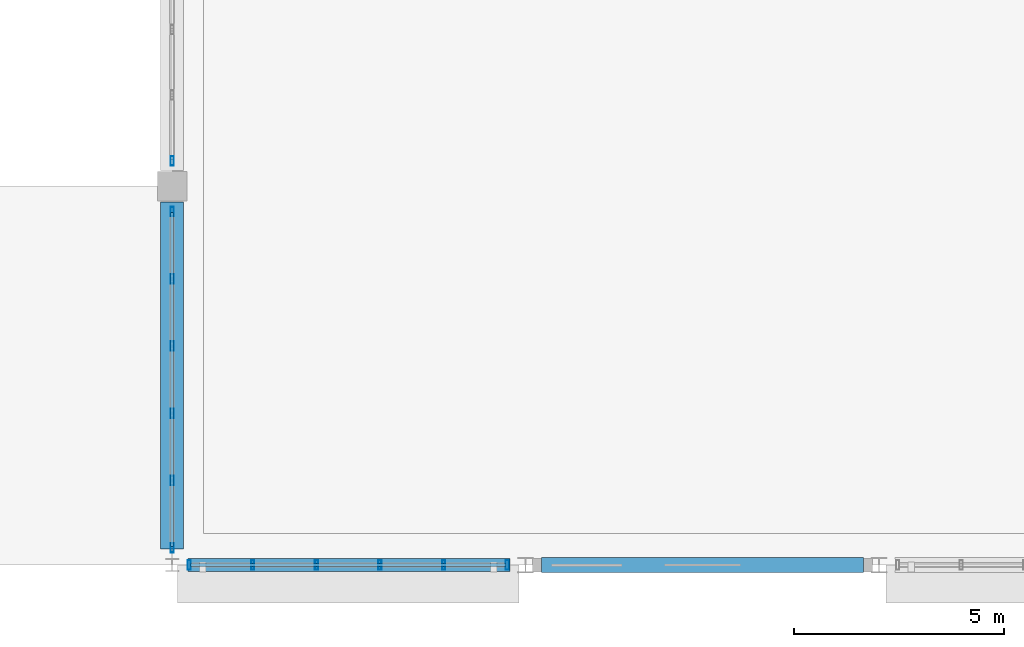
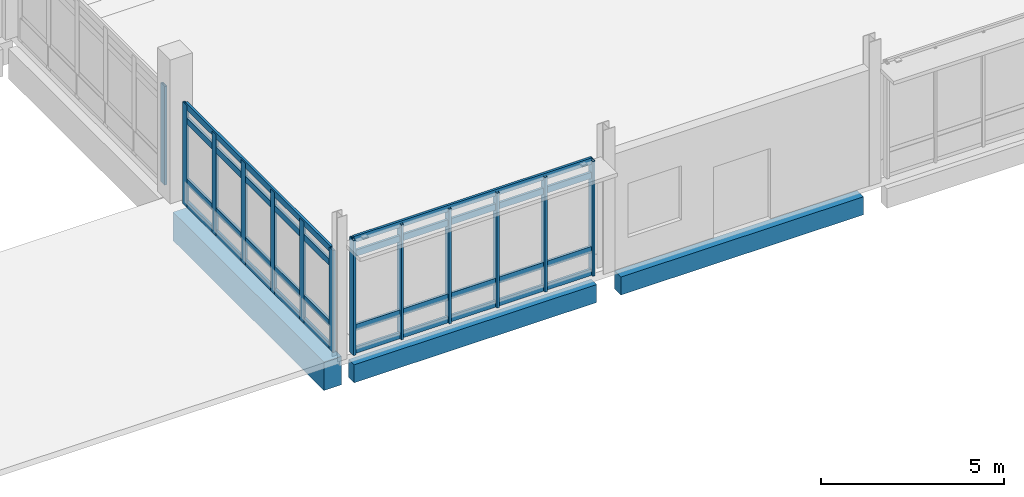
# One storey, part 10 of 95: 21 members, 3 beams, 3 elements without a shape of their own.
"""IFC4 building model written with IfcOpenShell, lengths in metres."""

from ifc_helpers import new_model, si_unit, direction, frame, origin, origin_2d, place, context, subcontext, project, spatial, rectangle, hollow_rectangle, extrude, material, layer, layer_set, material_profile, profile_set, type_object, element, aggregate, save


model = new_model("IFC4")

# Units and contexts
model_context = context("Model", 3, precision=1e-05, world=origin(), true_north=direction((0.0, 1.0)))
body_context = subcontext(model_context, "Body", "Model", "MODEL_VIEW")
ifc_project = project(units=[si_unit("LENGTHUNIT", "METRE"), si_unit("AREAUNIT", "SQUARE_METRE"), si_unit("VOLUMEUNIT", "CUBIC_METRE"), si_unit("PLANEANGLEUNIT", "RADIAN"), si_unit("MASSUNIT", "GRAM", prefix="KILO")], contexts=[model_context])

# Site, building, storey
site_placement = place(None, origin())
site = spatial("IfcSite", under=ifc_project, at=site_placement, CompositionType="ELEMENT")
building_placement = place(site_placement, origin())
building = spatial("IfcBuilding", under=site, at=building_placement, Name="Vireocrest Preparatory School", CompositionType="ELEMENT")
storey_placement = place(building_placement, origin())
storey = spatial("IfcBuildingStorey", under=building, at=storey_placement, Name="L00", CompositionType="ELEMENT", Elevation=0.0)

# Curtain wall, members
ifc_material_1 = material(Name="Thermally broken aluminium EN AW-6063-T6", Category="aluminium")
ifc_layer_1 = layer(ifc_material_1, 0.179931640625)
ifc_layer_set_1 = layer_set([ifc_layer_1], Name="Thermally broken aluminium EN AW-6063-T6")
curtain_wall_type_1 = type_object("IfcCurtainWallType", Name="Dining Side Storefront 9000x4400", PredefinedType="USERDEFINED", material=ifc_layer_set_1)
curtain_wall_1_placement = place(storey_placement, origin())
curtain_wall_1 = element("IfcCurtainWall", 1, at=curtain_wall_1_placement, inside=storey, type_object=curtain_wall_type_1, Name="Curtain Wall CW11 CW_L00_CW11_0504_0003_000", ObjectType="CURTAIN WALL", PredefinedType="USERDEFINED")
ifc_material_profile_1 = material_profile(ifc_material_1, hollow_rectangle(XDim=0.074951171875, YDim=0.22509765625, WallThickness=0.0048828125, at=origin_2d()), Name="ALU 75x225x5")
ifc_profile_set_1 = profile_set([ifc_material_profile_1], Name="Thermally broken aluminium EN AW-6063-T6")
member_type_1 = type_object("IfcMemberType", Name="CW Mullion 75x225x5", PredefinedType="MULLION", material=ifc_profile_set_1)
member_1_placement = place(storey_placement, frame((50.39990234375, 0.408935546875, 0.0), z_axis=(0.0, 0.0, 1.0), x_axis=(1.0, 0.0, 0.0)))
member_1 = element("IfcMember", 2, at=member_1_placement, type_object=member_type_1, Name="CW Mullion ML4 CW_L00_CW11_0504_0003_000-1", PredefinedType="MULLION", context=body_context, shape_type="SweptSolid", body=[
    extrude(hollow_rectangle(XDim=0.074951171875, YDim=0.22509765625, WallThickness=0.0048828125, at=origin_2d()), origin(), (0.0, 0.0, 1.0), 3.39501953125),
])
member_2_placement = place(storey_placement, frame((50.39990234375, 2.006103515625, 0.0), z_axis=(0.0, 0.0, 1.0), x_axis=(1.0, 0.0, 0.0)))
member_2 = element("IfcMember", 3, at=member_2_placement, type_object=member_type_1, Name="CW Mullion ML4 CW_L00_CW11_0504_0003_000-2", PredefinedType="MULLION", context=body_context, shape_type="SweptSolid", body=[
    extrude(hollow_rectangle(XDim=0.074951171875, YDim=0.22509765625, WallThickness=0.0048828125, at=origin_2d()), origin(), (0.0, 0.0, 1.0), 3.39501953125),
])
member_3_placement = place(storey_placement, frame((50.39990234375, 3.603515625, 0.0), z_axis=(0.0, 0.0, 1.0), x_axis=(1.0, 0.0, 0.0)))
member_3 = element("IfcMember", 4, at=member_3_placement, type_object=member_type_1, Name="CW Mullion ML4 CW_L00_CW11_0504_0003_000-3", PredefinedType="MULLION", context=body_context, shape_type="SweptSolid", body=[
    extrude(hollow_rectangle(XDim=0.074951171875, YDim=0.22509765625, WallThickness=0.0048828125, at=origin_2d()), origin(), (0.0, 0.0, 1.0), 3.39501953125),
])
member_4_placement = place(storey_placement, frame((50.39990234375, 5.20068359375, 0.0), z_axis=(0.0, 0.0, 1.0), x_axis=(1.0, 0.0, 0.0)))
member_4 = element("IfcMember", 5, at=member_4_placement, type_object=member_type_1, Name="CW Mullion ML4 CW_L00_CW11_0504_0003_000-4", PredefinedType="MULLION", context=body_context, shape_type="SweptSolid", body=[
    extrude(hollow_rectangle(XDim=0.074951171875, YDim=0.22509765625, WallThickness=0.0048828125, at=origin_2d()), origin(), (0.0, 0.0, 1.0), 3.39501953125),
])
member_5_placement = place(storey_placement, frame((50.39990234375, 6.7978515625, 0.0), z_axis=(0.0, 0.0, 1.0), x_axis=(1.0, 0.0, 0.0)))
member_5 = element("IfcMember", 6, at=member_5_placement, type_object=member_type_1, Name="CW Mullion ML4 CW_L00_CW11_0504_0003_000-5", PredefinedType="MULLION", context=body_context, shape_type="SweptSolid", body=[
    extrude(hollow_rectangle(XDim=0.074951171875, YDim=0.22509765625, WallThickness=0.0048828125, at=origin_2d()), origin(), (0.0, 0.0, 1.0), 3.39501953125),
])
member_6_placement = place(storey_placement, frame((50.39990234375, 8.39501953125, 0.0), z_axis=(0.0, 0.0, 1.0), x_axis=(1.0, 0.0, 0.0)))
member_6 = element("IfcMember", 7, at=member_6_placement, type_object=member_type_1, Name="CW Mullion ML4 CW_L00_CW11_0504_0003_000-6", PredefinedType="MULLION", context=body_context, shape_type="SweptSolid", body=[
    extrude(hollow_rectangle(XDim=0.074951171875, YDim=0.22509765625, WallThickness=0.0048828125, at=origin_2d()), origin(), (0.0, 0.0, 1.0), 3.39501953125),
])

# Curtain wall, member
curtain_wall_2_placement = place(storey_placement, origin())
curtain_wall_2 = element("IfcCurtainWall", 8, at=curtain_wall_2_placement, inside=storey, type_object=curtain_wall_type_1, Name="Curtain Wall CW11 CW_L00_CW11_0504_0095_000", ObjectType="CURTAIN WALL", PredefinedType="USERDEFINED")
member_7_placement = place(storey_placement, frame((50.39990234375, 9.60498046875, 0.0), z_axis=(0.0, 0.0, 1.0), x_axis=(1.0, 0.0, 0.0)))
member_7 = element("IfcMember", 9, at=member_7_placement, type_object=member_type_1, Name="CW Mullion ML4 CW_L00_CW11_0504_0095_000-1", PredefinedType="MULLION", context=body_context, shape_type="SweptSolid", body=[
    extrude(hollow_rectangle(XDim=0.074951171875, YDim=0.22509765625, WallThickness=0.0048828125, at=origin_2d()), origin(), (0.0, 0.0, 1.0), 3.294921875),
])
aggregate(curtain_wall_2, [member_7])

# Curtain wall, members
ifc_layer_2 = layer(ifc_material_1, 0.179931640625)
ifc_layer_set_2 = layer_set([ifc_layer_2], Name="Thermally broken aluminium EN AW-6063-T6")
curtain_wall_type_2 = type_object("IfcCurtainWallType", Name="Dining Garden Storefront 8400x4400", PredefinedType="USERDEFINED", material=ifc_layer_set_2)
curtain_wall_3_placement = place(storey_placement, origin())
curtain_wall_3 = element("IfcCurtainWall", 10, at=curtain_wall_3_placement, inside=storey, type_object=curtain_wall_type_2, Name="Curtain Wall CW10 CW_L00_CW10_0507_0000_000", ObjectType="CURTAIN WALL", PredefinedType="USERDEFINED")
member_8_placement = place(storey_placement, frame((50.8076171875, 0.0, 0.0), z_axis=(0.0, 0.0, 1.0), x_axis=(1.0, 0.0, 0.0)))
member_8 = element("IfcMember", 11, at=member_8_placement, type_object=member_type_1, Name="CW Mullion ML4 CW_L00_CW10_0507_0000_000-1", PredefinedType="MULLION", context=body_context, shape_type="SweptSolid", body=[
    extrude(hollow_rectangle(XDim=0.074951171875, YDim=0.22509765625, WallThickness=0.0048828125, at=origin_2d()), origin(), (0.0, 0.0, 1.0), 3.842041015625),
])
member_9_placement = place(storey_placement, frame((52.318115234375, 0.0, 0.0), z_axis=(0.0, 0.0, 1.0), x_axis=(1.0, 0.0, 0.0)))
member_9 = element("IfcMember", 12, at=member_9_placement, type_object=member_type_1, Name="CW Mullion ML4 CW_L00_CW10_0507_0000_000-2", PredefinedType="MULLION", context=body_context, shape_type="SweptSolid", body=[
    extrude(hollow_rectangle(XDim=0.074951171875, YDim=0.22509765625, WallThickness=0.0048828125, at=origin_2d()), origin(), (0.0, 0.0, 1.0), 3.842041015625),
])
member_10_placement = place(storey_placement, frame((53.82861328125, 0.0, 0.0), z_axis=(0.0, 0.0, 1.0), x_axis=(1.0, 0.0, 0.0)))
member_10 = element("IfcMember", 13, at=member_10_placement, type_object=member_type_1, Name="CW Mullion ML4 CW_L00_CW10_0507_0000_000-3", PredefinedType="MULLION", context=body_context, shape_type="SweptSolid", body=[
    extrude(hollow_rectangle(XDim=0.074951171875, YDim=0.22509765625, WallThickness=0.0048828125, at=origin_2d()), origin(), (0.0, 0.0, 1.0), 3.842041015625),
])
member_11_placement = place(storey_placement, frame((55.33935546875, 0.0, 0.0), z_axis=(0.0, 0.0, 1.0), x_axis=(1.0, 0.0, 0.0)))
member_11 = element("IfcMember", 14, at=member_11_placement, type_object=member_type_1, Name="CW Mullion ML4 CW_L00_CW10_0507_0000_000-4", PredefinedType="MULLION", context=body_context, shape_type="SweptSolid", body=[
    extrude(hollow_rectangle(XDim=0.074951171875, YDim=0.22509765625, WallThickness=0.0048828125, at=origin_2d()), origin(), (0.0, 0.0, 1.0), 3.842041015625),
])
member_12_placement = place(storey_placement, frame((56.849853515625, 0.0, 0.0), z_axis=(0.0, 0.0, 1.0), x_axis=(1.0, 0.0, 0.0)))
member_12 = element("IfcMember", 15, at=member_12_placement, type_object=member_type_1, Name="CW Mullion ML4 CW_L00_CW10_0507_0000_000-5", PredefinedType="MULLION", context=body_context, shape_type="SweptSolid", body=[
    extrude(hollow_rectangle(XDim=0.074951171875, YDim=0.22509765625, WallThickness=0.0048828125, at=origin_2d()), origin(), (0.0, 0.0, 1.0), 3.842041015625),
])
member_13_placement = place(storey_placement, frame((58.360595703125, 0.0, 0.0), z_axis=(0.0, 0.0, 1.0), x_axis=(1.0, 0.0, 0.0)))
member_13 = element("IfcMember", 16, at=member_13_placement, type_object=member_type_1, Name="CW Mullion ML4 CW_L00_CW10_0507_0000_000-6", PredefinedType="MULLION", context=body_context, shape_type="SweptSolid", body=[
    extrude(hollow_rectangle(XDim=0.074951171875, YDim=0.22509765625, WallThickness=0.0048828125, at=origin_2d()), origin(), (0.0, 0.0, 1.0), 3.842041015625),
])

# Member
ifc_material_profile_2 = material_profile(ifc_material_1, hollow_rectangle(XDim=0.074951171875, YDim=0.2099609375, WallThickness=0.0048828125, at=origin_2d()), Name="ALU 75x210x5")
ifc_profile_set_2 = profile_set([ifc_material_profile_2], Name="Thermally broken aluminium EN AW-6063-T6")
member_type_2 = type_object("IfcMemberType", Name="CW Transom 75x210x5", PredefinedType="USERDEFINED", material=ifc_profile_set_2)
member_14_placement = place(storey_placement, frame((50.39990234375, 0.43408203125, 0.094970703125), z_axis=(0.0, 1.0, 0.0), x_axis=(-1.0, 0.0, 0.0)))
member_14 = element("IfcMember", 17, at=member_14_placement, type_object=member_type_2, Name="CW Transom TR4 CW_L00_CW11_0504_0003_000-1", ObjectType="TRANSOM", PredefinedType="USERDEFINED", context=body_context, shape_type="SweptSolid", body=[
    extrude(hollow_rectangle(XDim=0.074951171875, YDim=0.2099609375, WallThickness=0.0048828125, at=origin_2d()), origin(), (0.0, 0.0, 1.0), 7.93603515625),
])

member_15_placement = place(storey_placement, frame((50.39990234375, 0.43408203125, 0.85009765625), z_axis=(0.0, 1.0, 0.0), x_axis=(-1.0, 0.0, 0.0)))
member_15 = element("IfcMember", 18, at=member_15_placement, type_object=member_type_2, Name="CW Transom TR4 CW_L00_CW11_0504_0003_000-2", ObjectType="TRANSOM", PredefinedType="USERDEFINED", context=body_context, shape_type="SweptSolid", body=[
    extrude(hollow_rectangle(XDim=0.074951171875, YDim=0.2099609375, WallThickness=0.0048828125, at=origin_2d()), origin(), (0.0, 0.0, 1.0), 7.93603515625),
])

member_16_placement = place(storey_placement, frame((50.39990234375, 0.43408203125, 2.8798828125), z_axis=(0.0, 1.0, 0.0), x_axis=(-1.0, 0.0, 0.0)))
member_16 = element("IfcMember", 19, at=member_16_placement, type_object=member_type_2, Name="CW Transom TR4 CW_L00_CW11_0504_0003_000-3", ObjectType="TRANSOM", PredefinedType="USERDEFINED", context=body_context, shape_type="SweptSolid", body=[
    extrude(hollow_rectangle(XDim=0.074951171875, YDim=0.2099609375, WallThickness=0.0048828125, at=origin_2d()), origin(), (0.0, 0.0, 1.0), 7.93603515625),
])

member_17_placement = place(storey_placement, frame((50.39990234375, 0.43408203125, 3.35498046875), z_axis=(0.0, 1.0, 0.0), x_axis=(-1.0, 0.0, 0.0)))
member_17 = element("IfcMember", 20, at=member_17_placement, type_object=member_type_2, Name="CW Transom TR4 CW_L00_CW11_0504_0003_000-4", ObjectType="TRANSOM", PredefinedType="USERDEFINED", context=body_context, shape_type="SweptSolid", body=[
    extrude(hollow_rectangle(XDim=0.074951171875, YDim=0.2099609375, WallThickness=0.0048828125, at=origin_2d()), origin(), (0.0, 0.0, 1.0), 7.93603515625),
])

aggregate(curtain_wall_1, [member_1, member_2, member_3, member_4, member_5, member_6, member_14, member_15, member_16, member_17])

member_18_placement = place(storey_placement, frame((50.83251953125, 0.0, 0.094970703125), z_axis=(1.0, 0.0, 0.0), x_axis=(0.0, 1.0, 0.0)))
member_18 = element("IfcMember", 21, at=member_18_placement, type_object=member_type_2, Name="CW Transom TR4 CW_L00_CW10_0507_0000_000-1", ObjectType="TRANSOM", PredefinedType="USERDEFINED", context=body_context, shape_type="SweptSolid", body=[
    extrude(hollow_rectangle(XDim=0.074951171875, YDim=0.2099609375, WallThickness=0.0048828125, at=origin_2d()), origin(), (0.0, 0.0, 1.0), 7.5029296875),
])

member_19_placement = place(storey_placement, frame((50.83251953125, 0.0, 0.85009765625), z_axis=(1.0, 0.0, 0.0), x_axis=(0.0, 1.0, 0.0)))
member_19 = element("IfcMember", 22, at=member_19_placement, type_object=member_type_2, Name="CW Transom TR4 CW_L00_CW10_0507_0000_000-2", ObjectType="TRANSOM", PredefinedType="USERDEFINED", context=body_context, shape_type="SweptSolid", body=[
    extrude(hollow_rectangle(XDim=0.074951171875, YDim=0.2099609375, WallThickness=0.0048828125, at=origin_2d()), origin(), (0.0, 0.0, 1.0), 7.5029296875),
])

member_20_placement = place(storey_placement, frame((50.83251953125, 0.0, 3.326904296875), z_axis=(1.0, 0.0, 0.0), x_axis=(0.0, 1.0, 0.0)))
member_20 = element("IfcMember", 23, at=member_20_placement, type_object=member_type_2, Name="CW Transom TR4 CW_L00_CW10_0507_0000_000-3", ObjectType="TRANSOM", PredefinedType="USERDEFINED", context=body_context, shape_type="SweptSolid", body=[
    extrude(hollow_rectangle(XDim=0.074951171875, YDim=0.2099609375, WallThickness=0.0048828125, at=origin_2d()), origin(), (0.0, 0.0, 1.0), 7.5029296875),
])

member_21_placement = place(storey_placement, frame((50.83251953125, 0.0, 3.802001953125), z_axis=(1.0, 0.0, 0.0), x_axis=(0.0, 1.0, 0.0)))
member_21 = element("IfcMember", 24, at=member_21_placement, type_object=member_type_2, Name="CW Transom TR4 CW_L00_CW10_0507_0000_000-4", ObjectType="TRANSOM", PredefinedType="USERDEFINED", context=body_context, shape_type="SweptSolid", body=[
    extrude(hollow_rectangle(XDim=0.074951171875, YDim=0.2099609375, WallThickness=0.0048828125, at=origin_2d()), origin(), (0.0, 0.0, 1.0), 7.5029296875),
])

aggregate(curtain_wall_3, [member_8, member_9, member_10, member_11, member_12, member_13, member_18, member_19, member_20, member_21])

# Beams
ifc_material_2 = material(Name="Concrete 40 MPa", Category="concrete")
ifc_material_profile_3 = material_profile(ifc_material_2, rectangle(XDim=0.300048828125, YDim=0.60009765625, at=origin_2d()), Name="RC 300x600")
ifc_profile_set_3 = profile_set([ifc_material_profile_3], Name="Concrete 40 MPa")
beam_type_1 = type_object("IfcBeamType", Name="RC Classroom Beam 300x600", PredefinedType="BEAM", material=ifc_profile_set_3)
beam_1_placement = place(storey_placement, frame((50.77490234375, 0.0, -0.580078125), z_axis=(1.0, 0.0, 0.0), x_axis=(0.0, 1.0, 0.0)))
element("IfcBeam", 25, at=beam_1_placement, inside=storey, type_object=beam_type_1, Name="Primary Girder B03 L00-0001", PredefinedType="BEAM", context=body_context, shape_type="SweptSolid", body=[
    extrude(rectangle(XDim=0.300048828125, YDim=0.60009765625, at=origin_2d()), origin(), (0.0, 0.0, 1.0), 7.650146484375),
])
ifc_material_profile_4 = material_profile(ifc_material_2, rectangle(XDim=0.35009765625, YDim=0.60009765625, at=origin_2d()), Name="RC 350x600")
ifc_profile_set_4 = profile_set([ifc_material_profile_4], Name="Concrete 40 MPa")
beam_type_2 = type_object("IfcBeamType", Name="RC Classroom Girder 350x600", PredefinedType="BEAM", material=ifc_profile_set_4)
beam_2_placement = place(storey_placement, frame((59.175048828125, 0.0, -0.580078125), z_axis=(1.0, 0.0, 0.0), x_axis=(0.0, 1.0, 0.0)))
element("IfcBeam", 26, at=beam_2_placement, inside=storey, type_object=beam_type_2, Name="Primary Girder B04 L00-0002", PredefinedType="BEAM", context=body_context, shape_type="SweptSolid", body=[
    extrude(rectangle(XDim=0.35009765625, YDim=0.60009765625, at=origin_2d()), origin(), (0.0, 0.0, 1.0), 7.64990234375),
])
ifc_material_profile_5 = material_profile(ifc_material_2, rectangle(XDim=0.550048828125, YDim=0.949951171875, at=origin_2d()), Name="RC 550x950")
ifc_profile_set_5 = profile_set([ifc_material_profile_5], Name="Concrete 40 MPa")
beam_type_3 = type_object("IfcBeamType", Name="RC Setback Edge Girder 550x950", PredefinedType="BEAM", material=ifc_profile_set_5)
beam_3_placement = place(storey_placement, frame((50.39990234375, 0.375, -0.7548828125), z_axis=(0.0, 1.0, 0.0), x_axis=(-1.0, 0.0, 0.0)))
element("IfcBeam", 27, at=beam_3_placement, inside=storey, type_object=beam_type_3, Name="Primary Girder B17 L00-0154", PredefinedType="BEAM", context=body_context, shape_type="SweptSolid", body=[
    extrude(rectangle(XDim=0.550048828125, YDim=0.949951171875, at=origin_2d()), origin(), (0.0, 0.0, 1.0), 8.25),
])

save(model, "model.ifc")
